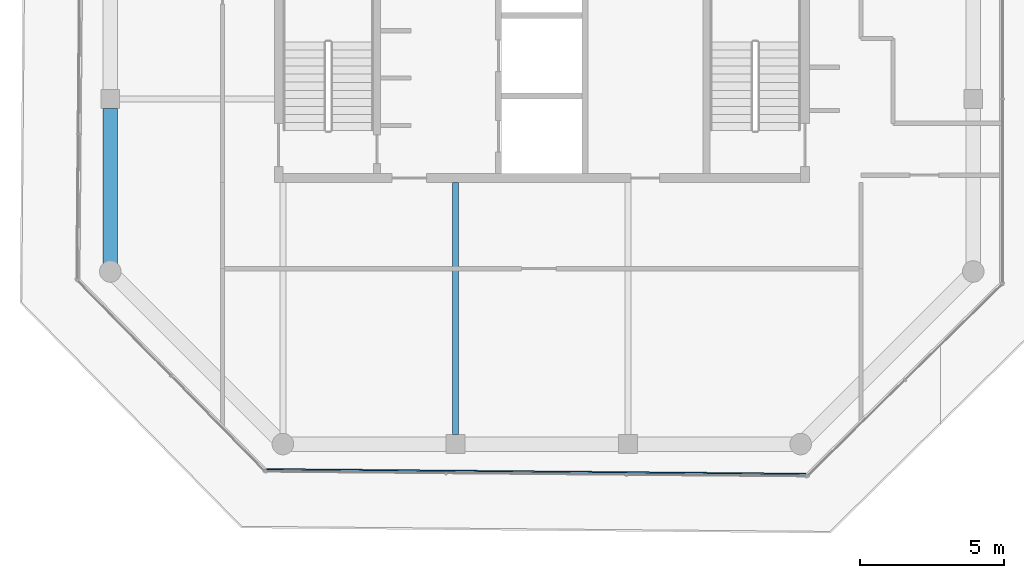
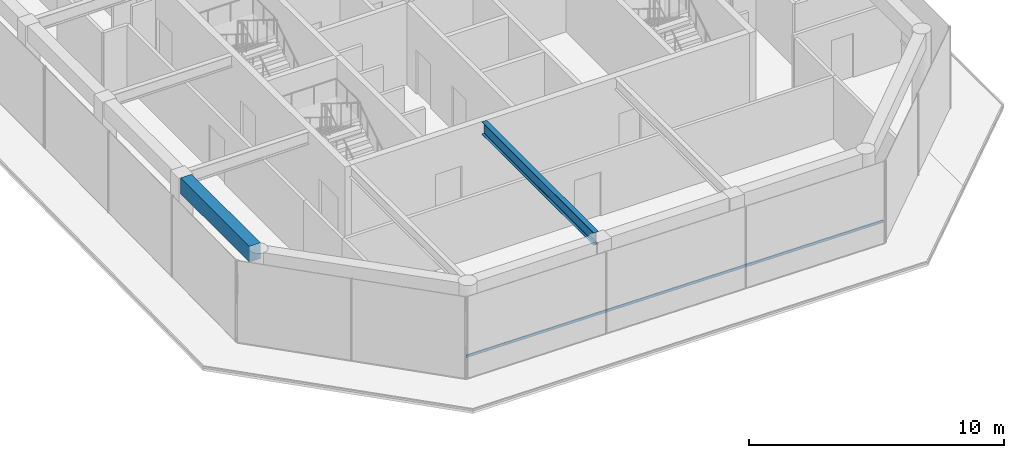
# One storey, part 3 of 17: 2 beams, 1 member, 1 element without a shape of its own.
"""IFC4 building model written with IfcOpenShell, lengths in metres."""

from ifc_helpers import new_model, si_unit, direction, frame, origin, origin_2d, place, context, subcontext, project, spatial, rectangle, i_section, extrude, material, layer, layer_set, material_profile, profile_set, type_object, element, aggregate, save


model = new_model("IFC4")

# Units and contexts
model_context = context("Model", 3, precision=1e-05, world=origin(), true_north=direction((0.0, 1.0)))
body_context = subcontext(model_context, "Body", "Model", "MODEL_VIEW")
ifc_project = project(units=[si_unit("LENGTHUNIT", "METRE"), si_unit("AREAUNIT", "SQUARE_METRE"), si_unit("VOLUMEUNIT", "CUBIC_METRE"), si_unit("PLANEANGLEUNIT", "RADIAN"), si_unit("MASSUNIT", "GRAM", prefix="KILO")], contexts=[model_context])

# Site, building, storey
site_placement = place(None, origin())
site = spatial("IfcSite", under=ifc_project, at=site_placement, CompositionType="ELEMENT")
building_placement = place(site_placement, origin())
building = spatial("IfcBuilding", under=site, at=building_placement, Name="Welwitschia Terrace Campus", CompositionType="ELEMENT")
storey_placement = place(building_placement, frame((0.0, 0.0, 335.60009765625)))
storey = spatial("IfcBuildingStorey", under=building, at=storey_placement, Name="L75", CompositionType="ELEMENT", Elevation=335.60009765625)

# Beams
ifc_material_1 = material(Name="Steel S355", Category="steel")
ifc_material_profile_1 = material_profile(ifc_material_1, i_section(OverallWidth=0.219970703125, OverallDepth=0.60009765625, WebThickness=0.011962890625, FlangeThickness=0.01904296875, FilletRadius=0.02392578125, at=origin_2d()))
ifc_profile_set_1 = profile_set([ifc_material_profile_1], Name="Steel S355")
beam_type_1 = type_object("IfcBeamType", Name="Primary beam IPE 600", PredefinedType="BEAM", material=ifc_profile_set_1)
beam_1_placement = place(storey_placement, frame((12.0, -3.674560546875, 3.599853515625), z_axis=(0.0, 1.0, 0.0), x_axis=(-1.0, 0.0, 0.0)))
element("IfcBeam", 1, at=beam_1_placement, inside=storey, type_object=beam_type_1, Name="Primary beam PB7", PredefinedType="BEAM", context=body_context, shape_type="SweptSolid", body=[
    extrude(i_section(OverallWidth=0.219970703125, OverallDepth=0.60009765625, WebThickness=0.011962890625, FlangeThickness=0.01904296875, FilletRadius=0.02392578125, at=origin_2d()), origin(), (0.0, 0.0, 1.0), 8.774658203125),
])
ifc_material_2 = material(Name="Concrete C40/50", Category="concrete")
ifc_material_profile_2 = material_profile(ifc_material_2, rectangle(XDim=0.5, YDim=0.75, at=origin_2d()))
ifc_profile_set_2 = profile_set([ifc_material_profile_2], Name="Concrete C40/50")
beam_type_2 = type_object("IfcBeamType", Name="Ring spandrel 500x750", PredefinedType="SPANDREL", material=ifc_profile_set_2)
beam_2_placement = place(storey_placement, frame((0.0, 7.674560546875, 3.52490234375), z_axis=(0.0, -1.0, 0.0), x_axis=(1.0, 0.0, 0.0)))
element("IfcBeam", 2, at=beam_2_placement, inside=storey, type_object=beam_type_2, Name="Spandrel SP5", PredefinedType="SPANDREL", context=body_context, shape_type="SweptSolid", body=[
    extrude(rectangle(XDim=0.5, YDim=0.75, at=origin_2d()), origin(), (0.0, 0.0, 1.0), 5.39404296875),
])

# Curtain wall, member
ifc_material_3 = material(Name="Bronze anodised aluminium", Category="aluminium")
ifc_layer = layer(ifc_material_3, 0.10009765625)
ifc_layer_set = layer_set([ifc_layer], Name="Bronze anodised aluminium")
curtain_wall_type = type_object("IfcCurtainWallType", Name="Curtain wall CW5 crown 6000", PredefinedType="NOTDEFINED", material=ifc_layer_set)
curtain_wall_placement = place(storey_placement, origin())
curtain_wall = element("IfcCurtainWall", 3, at=curtain_wall_placement, inside=storey, type_object=curtain_wall_type, Name="CW L75.4.0", PredefinedType="NOTDEFINED")
ifc_material_4 = material(Name="Bronze anodised aluminium", Category="aluminium")
ifc_material_profile_3 = material_profile(ifc_material_4, rectangle(XDim=0.050048828125, YDim=0.1201171875, at=origin_2d()))
ifc_profile_set_3 = profile_set([ifc_material_profile_3], Name="Bronze anodised aluminium")
member_type = type_object("IfcMemberType", Name="Transom 50x120", PredefinedType="USERDEFINED", material=ifc_profile_set_3)
member_placement = place(storey_placement, frame((5.43310546875, -4.87939453125, 1.0), z_axis=(0.999961959345, -0.008722377169, 0.0), x_axis=(0.008722377169, 0.999961959345, 0.0)))
member = element("IfcMember", 4, at=member_placement, type_object=member_type, Name="Transom L75.4.0", ObjectType="TRANSOM", PredefinedType="USERDEFINED", context=body_context, shape_type="SweptSolid", body=[
    extrude(rectangle(XDim=0.050048828125, YDim=0.1201171875, at=origin_2d()), origin(), (0.0, 0.0, 1.0), 18.75341796875),
])
aggregate(curtain_wall, [member])

save(model, "model.ifc")
